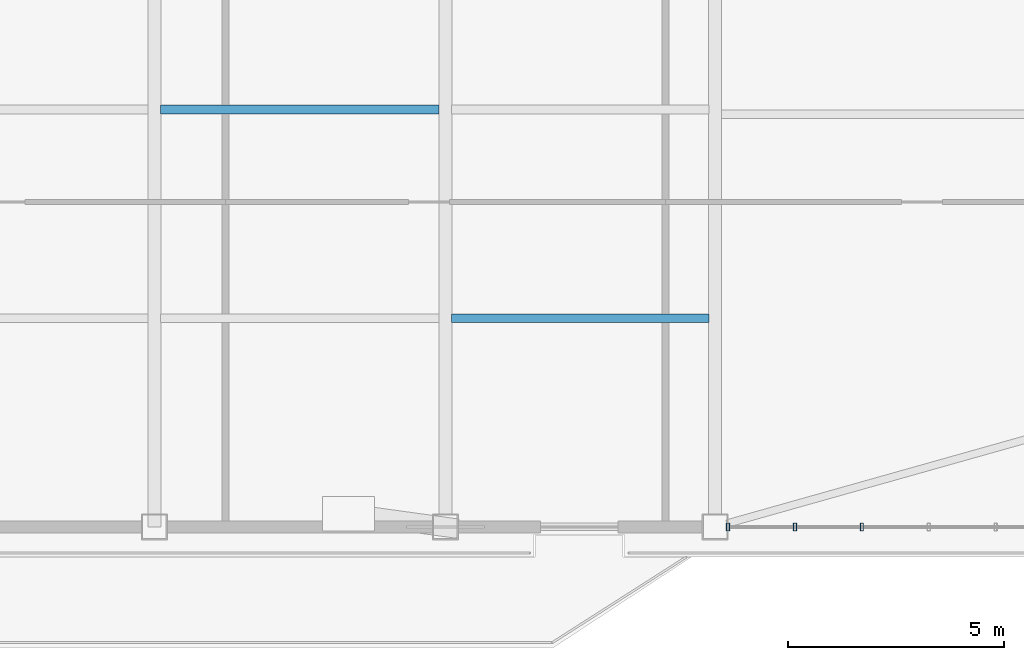
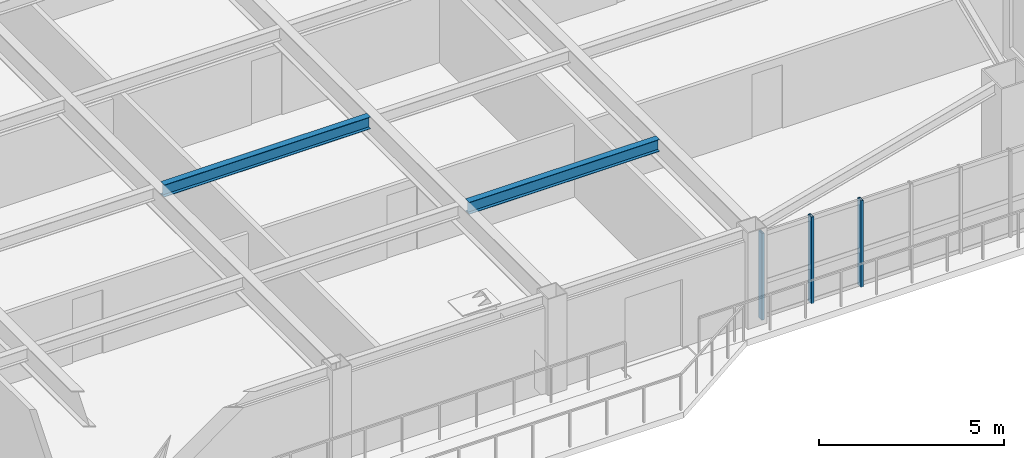
# One storey, part 4 of 16: 3 members, 2 beams, 1 element without a shape of its own.
"""IFC4 building model written with IfcOpenShell, lengths in metres."""

from ifc_helpers import new_model, si_unit, direction, frame, origin, origin_2d, place, context, subcontext, project, spatial, hollow_rectangle, i_section, extrude, source, transform, mapped, material, layer, layer_set, material_profile, profile_set, type_object, element, aggregate, save


model = new_model("IFC4")

# Units and contexts
model_context = context("Model", 3, precision=1e-05, world=origin(), true_north=direction((0.0, 1.0)))
body_context = subcontext(model_context, "Body", "Model", "MODEL_VIEW")
ifc_project = project(units=[si_unit("LENGTHUNIT", "METRE"), si_unit("AREAUNIT", "SQUARE_METRE"), si_unit("VOLUMEUNIT", "CUBIC_METRE"), si_unit("PLANEANGLEUNIT", "RADIAN"), si_unit("MASSUNIT", "GRAM", prefix="KILO")], contexts=[model_context])

# Site, building, storey
site_placement = place(None, origin())
site = spatial("IfcSite", under=ifc_project, at=site_placement, CompositionType="ELEMENT")
building_placement = place(site_placement, origin())
building = spatial("IfcBuilding", under=site, at=building_placement, Name="Giltprow Tower", CompositionType="ELEMENT")
storey_placement = place(building_placement, frame((0.0, 0.0, 227.0)))
storey = spatial("IfcBuildingStorey", under=building, at=storey_placement, Name="L57", CompositionType="ELEMENT", Elevation=227.0)

# Beams
ifc_material_1 = material(Name="Structural steel Q355B", Category="steel")
ifc_material_profile_1 = material_profile(ifc_material_1, i_section(OverallWidth=0.199951171875, OverallDepth=0.39990234375, WebThickness=0.008056640625, FlangeThickness=0.012939453125, at=origin_2d()), Name="HN 400x200x8x13")
ifc_profile_set_1 = profile_set([ifc_material_profile_1], Name="Structural steel Q355B")
beam_type = type_object("IfcBeamType", Name="BM-JOIST-HN400", PredefinedType="JOIST", material=ifc_profile_set_1)
shared_shape_1 = source(origin(), body_context, "Body", "SweptSolid", [
    extrude(i_section(OverallWidth=0.199951171875, OverallDepth=0.39990234375, WebThickness=0.008056640625, FlangeThickness=0.012939453125, at=origin_2d()), origin(), (0.0, 0.0, 1.0), 6.4599609375),
])
beam_1_placement = place(storey_placement, frame((37.695068359375, 22.929931640625, 2.985107421875), z_axis=(1.0, 0.0, 0.0), x_axis=(0.0, 1.0, 0.0)))
element("IfcBeam", 1, at=beam_1_placement, inside=storey, type_object=beam_type, Name="L57 Composite Floor Joist 2-3", PredefinedType="JOIST", context=body_context, shape_type="MappedRepresentation", body=[
    mapped(shared_shape_1, transform((0.0, 0.0, 0.0), x_axis=(1.0, 0.0, 0.0), y_axis=(0.0, 1.0, 0.0), z_axis=(0.0, 0.0, 1.0), scale=1.0)),
])
shared_shape_2 = source(origin(), body_context, "Body", "SweptSolid", [
    extrude(i_section(OverallWidth=0.199951171875, OverallDepth=0.39990234375, WebThickness=0.008056640625, FlangeThickness=0.012939453125, at=origin_2d()), origin(), (0.0, 0.0, 1.0), 5.9599609375),
])
beam_2_placement = place(storey_placement, frame((44.445068359375, 18.090087890625, 2.985107421875), z_axis=(1.0, 0.0, 0.0), x_axis=(0.0, 1.0, 0.0)))
element("IfcBeam", 2, at=beam_2_placement, inside=storey, type_object=beam_type, Name="L57 Composite Floor Joist 1-4", PredefinedType="JOIST", context=body_context, shape_type="MappedRepresentation", body=[
    mapped(shared_shape_2, transform((0.0, 0.0, 0.0), x_axis=(1.0, 0.0, 0.0), y_axis=(0.0, 1.0, 0.0), z_axis=(0.0, 0.0, 1.0), scale=1.0)),
])

# Curtain wall, members
ifc_material_2 = material(Name="Anodized bronze", Category="metal")
ifc_layer = layer(ifc_material_2, 0.179931640625, Name="Anodized bronze")
ifc_layer_set = layer_set([ifc_layer], Name="Anodized bronze")
curtain_wall_type = type_object("IfcCurtainWallType", Name="CW-RES-SKY", PredefinedType="NOTDEFINED", material=ifc_layer_set)
curtain_wall_placement = place(storey_placement, origin())
curtain_wall = element("IfcCurtainWall", 3, at=curtain_wall_placement, inside=storey, type_object=curtain_wall_type, Name="L57 South Recessed Curtain Wall 6", PredefinedType="NOTDEFINED")
ifc_material_profile_2 = material_profile(ifc_material_2, hollow_rectangle(XDim=0.074951171875, YDim=0.179931640625, WallThickness=0.008056640625, at=origin_2d()), Name="RHS 180x75x8")
ifc_profile_set_2 = profile_set([ifc_material_profile_2], Name="Anodized bronze")
member_type = type_object("IfcMemberType", Name="CW-MULLION-180x75", PredefinedType="MULLION", material=ifc_profile_set_2)
shared_shape_3 = source(origin(), body_context, "Body", "SweptSolid", [
    extrude(hollow_rectangle(XDim=0.074951171875, YDim=0.179931640625, WallThickness=0.008056640625, at=origin_2d()), origin(), (0.0, 0.0, 1.0), 2.8701171875),
])
member_1_placement = place(storey_placement, frame((50.85009765625, 13.25, -0.02001953125), z_axis=(0.0, 0.0, 1.0), x_axis=(1.0, 0.0, 0.0)))
member_1 = element("IfcMember", 4, at=member_1_placement, type_object=member_type, Name="L57 South Recessed Curtain Wall 6 Mullion 1", PredefinedType="MULLION", context=body_context, shape_type="MappedRepresentation", body=[
    mapped(shared_shape_3, transform((0.0, 0.0, 0.0), x_axis=(1.0, 0.0, 0.0), y_axis=(0.0, 1.0, 0.0), z_axis=(0.0, 0.0, 1.0), scale=1.0)),
])
member_2_placement = place(storey_placement, frame((52.402099609375, 13.25, -0.02001953125), z_axis=(0.0, 0.0, 1.0), x_axis=(1.0, 0.0, 0.0)))
member_2 = element("IfcMember", 5, at=member_2_placement, type_object=member_type, Name="L57 South Recessed Curtain Wall 6 Mullion 2", PredefinedType="MULLION", context=body_context, shape_type="MappedRepresentation", body=[
    mapped(shared_shape_3, transform((0.0, 0.0, 0.0), x_axis=(1.0, 0.0, 0.0), y_axis=(0.0, 1.0, 0.0), z_axis=(0.0, 0.0, 1.0), scale=1.0)),
])
member_3_placement = place(storey_placement, frame((53.952880859375, 13.25, -0.02001953125), z_axis=(0.0, 0.0, 1.0), x_axis=(1.0, 0.0, 0.0)))
member_3 = element("IfcMember", 6, at=member_3_placement, type_object=member_type, Name="L57 South Recessed Curtain Wall 6 Mullion 3", PredefinedType="MULLION", context=body_context, shape_type="MappedRepresentation", body=[
    mapped(shared_shape_3, transform((0.0, 0.0, 0.0), x_axis=(1.0, 0.0, 0.0), y_axis=(0.0, 1.0, 0.0), z_axis=(0.0, 0.0, 1.0), scale=1.0)),
])
aggregate(curtain_wall, [member_1, member_2, member_3])

save(model, "model.ifc")
